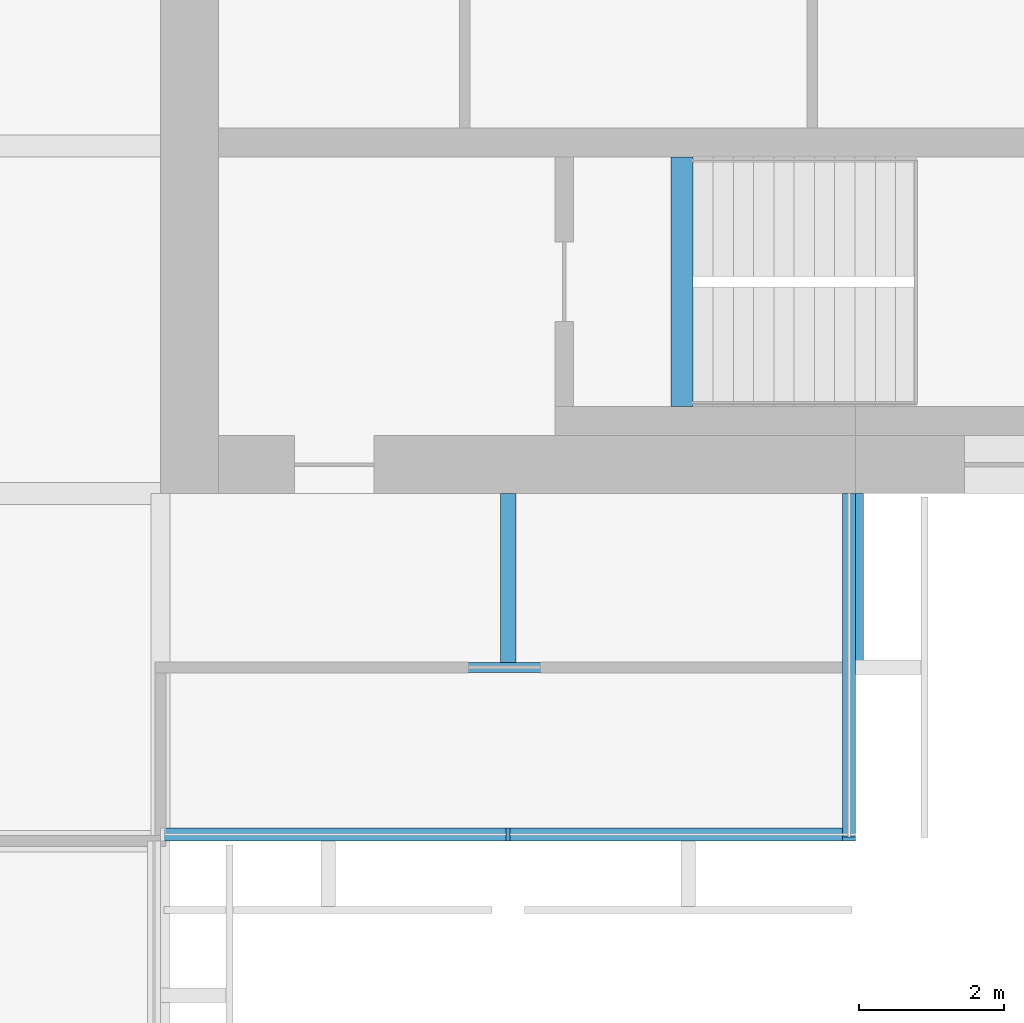
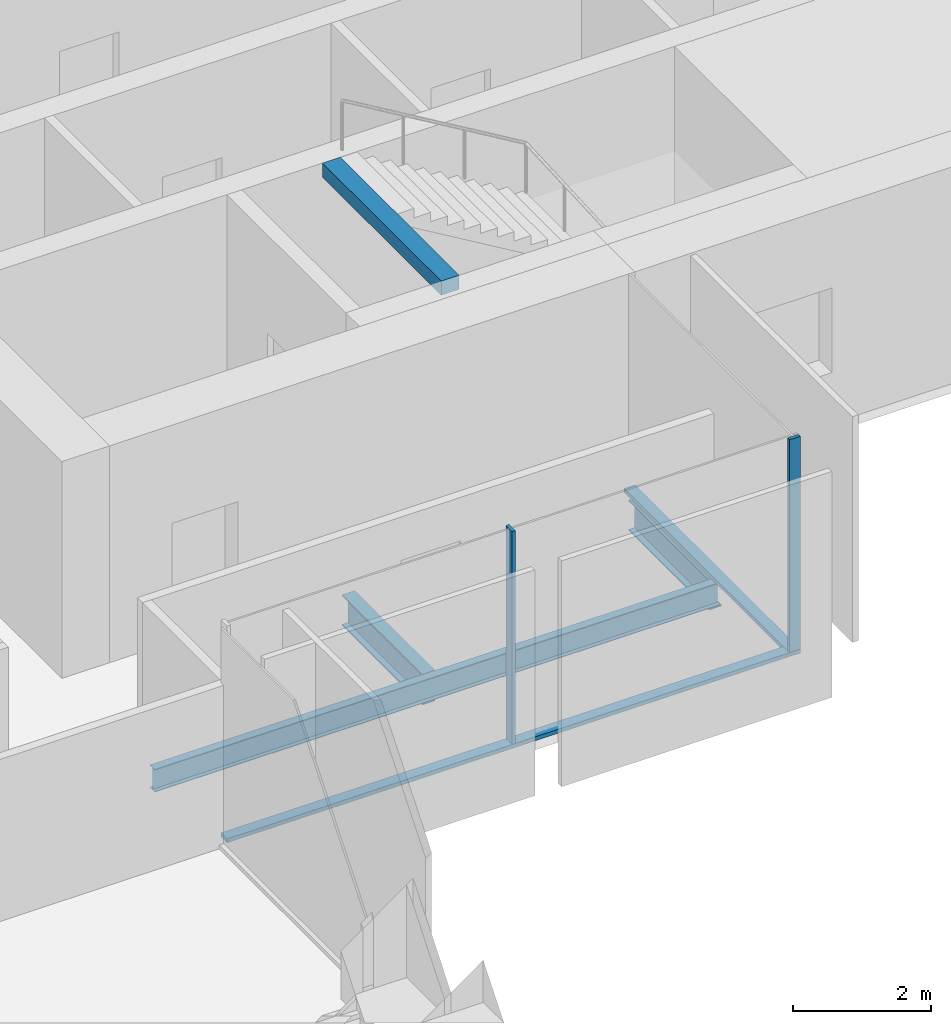
# One storey, part 4 of 13: 4 beams, 4 members, 2 elements without a shape of their own.
"""IFC4 building model written with IfcOpenShell, lengths in metres."""

from ifc_helpers import new_model, si_unit, direction, frame, origin, origin_2d, place, context, subcontext, project, spatial, rectangle, i_section, extrude, material, material_profile, profile_set, type_object, element, aggregate, save


model = new_model("IFC4")

# Units and contexts
model_context = context("Model", 3, precision=1e-05, world=origin(), true_north=direction((0.0, 1.0)))
body_context = subcontext(model_context, "Body", "Model", "MODEL_VIEW")
ifc_project = project(units=[si_unit("LENGTHUNIT", "METRE"), si_unit("AREAUNIT", "SQUARE_METRE"), si_unit("VOLUMEUNIT", "CUBIC_METRE"), si_unit("PLANEANGLEUNIT", "RADIAN"), si_unit("MASSUNIT", "GRAM", prefix="KILO")], contexts=[model_context])

# Site, building, storey
site_placement = place(None, origin())
site = spatial("IfcSite", under=ifc_project, at=site_placement, CompositionType="ELEMENT")
building_placement = place(site_placement, origin())
building = spatial("IfcBuilding", under=site, at=building_placement, Name="Baori Bourse Tower", CompositionType="ELEMENT")
storey_placement = place(building_placement, frame((0.0, 0.0, 201.199951171875)))
storey = spatial("IfcBuildingStorey", under=building, at=storey_placement, Name="L43", CompositionType="ELEMENT", Elevation=201.199951171875)

# Curtain wall, member
ifc_material_1 = material(Name="Pale anodised aluminium", Category="aluminium")
curtain_wall_type = type_object("IfcCurtainWallType", Name="CW2 Curtain wall", PredefinedType="NOTDEFINED", material=ifc_material_1)
curtain_wall_1_placement = place(storey_placement, origin())
curtain_wall_1 = element("IfcCurtainWall", 1, at=curtain_wall_1_placement, inside=storey, type_object=curtain_wall_type, Name="Curtain wall CW2 L43 13", PredefinedType="NOTDEFINED")
ifc_material_2 = material(Name="Pale anodised aluminium", Category="aluminium")
ifc_material_profile_1 = material_profile(ifc_material_2, rectangle(XDim=0.179931640625, YDim=0.054931640625, at=origin_2d()), Name="Mullion 55x180")
ifc_profile_set_1 = profile_set([ifc_material_profile_1], Name="Pale anodised aluminium")
member_type_1 = type_object("IfcMemberType", Name="CW2 Curtain wall mullion", PredefinedType="MULLION", material=ifc_profile_set_1)
member_1_placement = place(storey_placement, frame((43.199951171875, 4.889892578125, 0.070068359375), z_axis=(0.0, 0.0, 1.0), x_axis=(0.0, 1.0, 0.0)))
member_1 = element("IfcMember", 2, at=member_1_placement, type_object=member_type_1, Name="Curtain wall CW2 mullion", PredefinedType="MULLION", context=body_context, shape_type="SweptSolid", body=[
    extrude(rectangle(XDim=0.179931640625, YDim=0.054931640625, at=origin_2d()), origin(), (0.0, 0.0, 1.0), 3.77001953125),
])

curtain_wall_2_placement = place(storey_placement, origin())
curtain_wall_2 = element("IfcCurtainWall", 3, at=curtain_wall_2_placement, inside=storey, type_object=curtain_wall_type, Name="Curtain wall CW2 L43 14", PredefinedType="NOTDEFINED")
member_2_placement = place(storey_placement, frame((47.909912109375, 4.827392578125, 0.070068359375), z_axis=(0.0, 0.0, 1.0), x_axis=(-1.0, 0.0, 0.0)))
member_2 = element("IfcMember", 4, at=member_2_placement, type_object=member_type_1, Name="Curtain wall CW2 mullion", PredefinedType="MULLION", context=body_context, shape_type="SweptSolid", body=[
    extrude(rectangle(XDim=0.179931640625, YDim=0.054931640625, at=origin_2d()), origin(), (0.0, 0.0, 1.0), 3.77001953125),
])

# Member
ifc_material_3 = material(Name="Pale anodised aluminium", Category="aluminium")
ifc_material_profile_2 = material_profile(ifc_material_3, rectangle(XDim=0.179931640625, YDim=0.070068359375, at=origin_2d()), Name="Transom 70x180")
ifc_profile_set_2 = profile_set([ifc_material_profile_2], Name="Pale anodised aluminium")
member_type_2 = type_object("IfcMemberType", Name="CW2 Curtain wall transom", PredefinedType="USERDEFINED", material=ifc_profile_set_2)
member_3_placement = place(storey_placement, frame((38.39990234375, 4.889892578125, 0.03515625), z_axis=(1.0, 0.0, 0.0), x_axis=(0.0, 1.0, 0.0)))
member_3 = element("IfcMember", 5, at=member_3_placement, type_object=member_type_2, Name="Curtain wall CW2 sill rail", ObjectType="TRANSOM", PredefinedType="USERDEFINED", context=body_context, shape_type="SweptSolid", body=[
    extrude(rectangle(XDim=0.179931640625, YDim=0.070068359375, at=origin_2d()), origin(), (0.0, 0.0, 1.0), 9.60009765625),
])

aggregate(curtain_wall_1, [member_3, member_1])

member_4_placement = place(storey_placement, frame((47.909912109375, 4.800048828125, 0.03515625), z_axis=(0.0, 1.0, 0.0), x_axis=(-1.0, 0.0, 0.0)))
member_4 = element("IfcMember", 6, at=member_4_placement, type_object=member_type_2, Name="Curtain wall CW2 sill rail", ObjectType="TRANSOM", PredefinedType="USERDEFINED", context=body_context, shape_type="SweptSolid", body=[
    extrude(rectangle(XDim=0.179931640625, YDim=0.070068359375, at=origin_2d()), origin(), (0.0, 0.0, 1.0), 4.800048828125),
])

aggregate(curtain_wall_2, [member_4, member_2])

# Beams
ifc_material_4 = material(Name="Steel A992 Gr 50", Category="steel")
ifc_material_profile_3 = material_profile(ifc_material_4, i_section(OverallWidth=0.21240234375, OverallDepth=0.54345703125, WebThickness=0.01318359375, FlangeThickness=0.021240234375, at=origin_2d()), Name="W21x83")
ifc_profile_set_3 = profile_set([ifc_material_profile_3], Name="Steel A992 Gr 50")
beam_type_1 = type_object("IfcBeamType", Name="Core bracket W21x83", PredefinedType="BEAM", material=ifc_profile_set_3)
for number, where, z_axis, x_axis, name in (
    (7, (43.199951171875, 7.270263671875, -0.431640625), (0.0, 1.0, 0.0), (-1.0, 0.0, 0.0), "Core bracket L43"),
    (8, (48.0, 7.270263671875, -0.431640625), (0.0, 1.0, 0.0), (-1.0, 0.0, 0.0), "Core bracket L43"),
):
    element("IfcBeam", number, at=place(storey_placement, frame(where, z_axis=z_axis, x_axis=x_axis)), inside=storey, type_object=beam_type_1, Name=name, PredefinedType="BEAM", context=body_context, shape_type="SweptSolid", body=[
        extrude(i_section(OverallWidth=0.21240234375, OverallDepth=0.54345703125, WebThickness=0.01318359375, FlangeThickness=0.021240234375, at=origin_2d()), origin(), (0.0, 0.0, 1.0), 2.329833984375),
    ])
ifc_material_5 = material(Name="Concrete f'c 50 MPa", Category="concrete")
ifc_material_profile_4 = material_profile(ifc_material_5, rectangle(XDim=0.300048828125, YDim=0.25, at=origin_2d()), Name="RC 300x250")
ifc_profile_set_4 = profile_set([ifc_material_profile_4], Name="Concrete f'c 50 MPa")
beam_type_2 = type_object("IfcBeamType", Name="Stair nib beam RC 300x250", PredefinedType="BEAM", material=ifc_profile_set_4)
beam_1_placement = place(storey_placement, frame((45.60009765625, 10.800048828125, 3.715087890625), z_axis=(0.0, 1.0, 0.0), x_axis=(-1.0, 0.0, 0.0)))
element("IfcBeam", 9, at=beam_1_placement, inside=storey, type_object=beam_type_2, Name="Stair EA nib beam L44", PredefinedType="BEAM", context=body_context, shape_type="SweptSolid", body=[
    extrude(rectangle(XDim=0.300048828125, YDim=0.25, at=origin_2d()), origin(), (0.0, 0.0, 1.0), 3.449951171875),
])
ifc_material_6 = material(Name="Steel A992 Gr 50", Category="steel")
ifc_material_profile_5 = material_profile(ifc_material_6, i_section(OverallWidth=0.140380859375, OverallDepth=0.40380859375, WebThickness=0.007080078125, FlangeThickness=0.01123046875, at=origin_2d()), Name="W16x31")
ifc_profile_set_5 = profile_set([ifc_material_profile_5], Name="Steel A992 Gr 50")
beam_type_3 = type_object("IfcBeamType", Name="Trimmer beam W16x31", PredefinedType="BEAM", material=ifc_profile_set_5)
beam_2_placement = place(storey_placement, frame((38.533447265625, 7.199951171875, -0.36181640625), z_axis=(1.0, 0.0, 0.0), x_axis=(0.0, 1.0, 0.0)))
element("IfcBeam", 10, at=beam_2_placement, inside=storey, type_object=beam_type_3, Name="Trimmer beam L43", PredefinedType="BEAM", context=body_context, shape_type="SweptSolid", body=[
    extrude(i_section(OverallWidth=0.140380859375, OverallDepth=0.40380859375, WebThickness=0.007080078125, FlangeThickness=0.01123046875, at=origin_2d()), origin(), (0.0, 0.0, 1.0), 9.466552734375),
])

save(model, "model.ifc")
